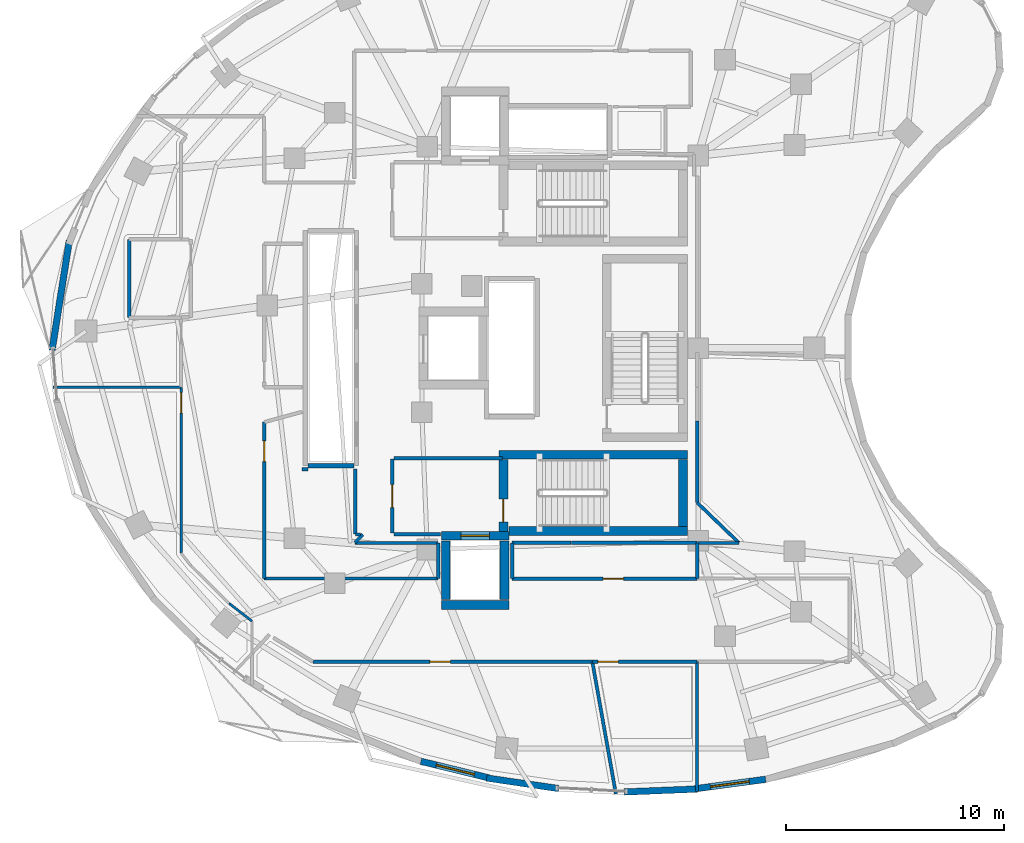
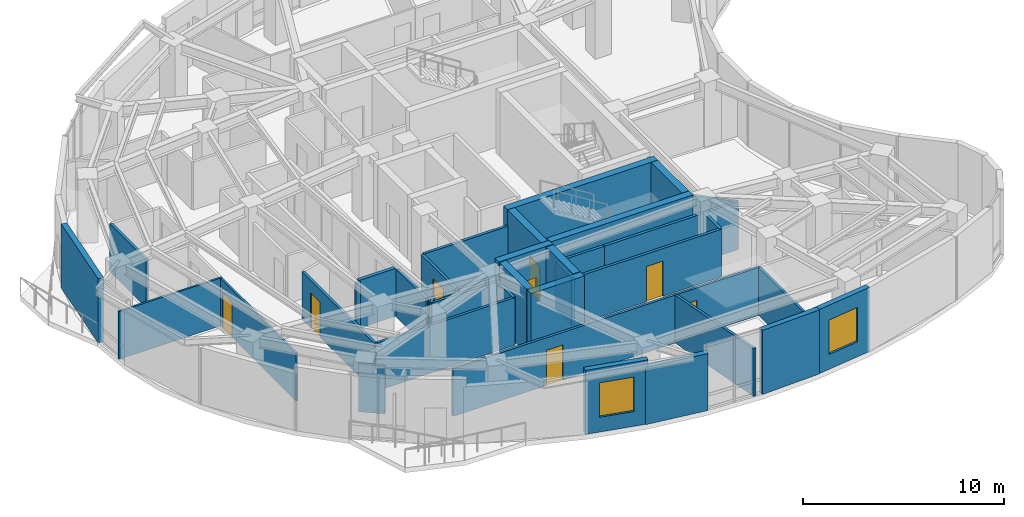
# One storey, part 7 of 13: 41 walls, 8 doors, 2 windows, 10 openings.
"""IFC4 building model written with IfcOpenShell, lengths in metres."""

from ifc_helpers import new_model, si_unit, direction, frame, frame_2d, origin, place, context, subcontext, project, spatial, rectangle, extrude, material, layer, layer_set, type_object, element, fill, save


model = new_model("IFC4")

# Units and contexts
model_context = context("Model", 3, precision=1e-05, world=origin(), true_north=direction((0.0, 1.0)))
body_context = subcontext(model_context, "Body", "Model", "MODEL_VIEW")
ifc_project = project(units=[si_unit("LENGTHUNIT", "METRE"), si_unit("AREAUNIT", "SQUARE_METRE"), si_unit("VOLUMEUNIT", "CUBIC_METRE"), si_unit("PLANEANGLEUNIT", "RADIAN"), si_unit("MASSUNIT", "GRAM", prefix="KILO")], contexts=[model_context])

# Site, building, storey
site_placement = place(None, origin())
site = spatial("IfcSite", under=ifc_project, at=site_placement, CompositionType="ELEMENT")
building_placement = place(site_placement, origin())
building = spatial("IfcBuilding", under=site, at=building_placement, Name="Korentha Bioscience Tower", CompositionType="ELEMENT")
storey_placement = place(building_placement, frame((0.0, 0.0, 154.199951171875)))
storey = spatial("IfcBuildingStorey", under=building, at=storey_placement, Name="L35", CompositionType="ELEMENT", Elevation=154.199951171875)

# Wall, opening, door
ifc_material_1 = material(Name="Double-Stud Acoustic Gypsum", Category="gypsum")
ifc_layer_1 = layer(ifc_material_1, 0.14990234375, Name="Double-Stud Acoustic Gypsum")
ifc_layer_set_1 = layer_set([ifc_layer_1], Name="Double-Stud Acoustic Gypsum (IW-L150)")
wall_type_1 = type_object("IfcWallType", Name="Acoustic Laboratory Partition Wall 150", PredefinedType="PARTITIONING", material=ifc_layer_set_1)
wall_1_placement = place(storey_placement, frame((17.610107421875, 16.409912109375, 0.0), z_axis=(0.0, 0.0, 1.0), x_axis=(0.0, 1.0, 0.0)))
wall_1 = element("IfcWall", 1, at=wall_1_placement, inside=storey, type_object=wall_type_1, Name="L35 Research Colloquium Seminar Room 02 Entrance Wall", PredefinedType="PARTITIONING", context=body_context, shape_type="SweptSolid", body=[
    extrude(rectangle(XDim=7.18896484375, YDim=0.14990234375, at=frame_2d((3.594482421875, 0.0))), origin(), (0.0, 0.0, 1.0), 2.91015625),
])
opening_1_placement = place(wall_1_placement, frame((5.376953125, 0.0, 0.0)))
opening_1 = element("IfcOpeningElement", 2, at=opening_1_placement, cuts=wall_1, Name="Opening ID-10L", PredefinedType="OPENING", context=body_context, shape_type="SweptSolid", body=[
    extrude(rectangle(XDim=0.949951171875, YDim=2.14990234375, at=frame_2d((0.47509765625, 1.074951171875))), frame((0.0, 0.08984375, 0.0), z_axis=(0.0, -1.0, 0.0), x_axis=(1.0, 0.0, 0.0)), (0.0, 0.0, 1.0), 0.1796875),
])
ifc_material_2 = material(Name="Phenolic Laminate Timber Core", Category="wood")
door_type_1 = type_object("IfcDoorType", Name="Laboratory Single Leaf Door 950x2150 Left", OperationType="SINGLE_SWING_LEFT", PredefinedType="DOOR", material=ifc_material_2)
door_1_placement = place(opening_1_placement, origin())
door_1 = element("IfcDoor", 3, at=door_1_placement, inside=storey, type_object=door_type_1, Name="L35 Research Colloquium Seminar Room 02 Door", OperationType="SINGLE_SWING_LEFT", OverallHeight=2.14990234375, OverallWidth=0.949951171875, PredefinedType="DOOR", context=body_context, shape_type="SweptSolid", body=[
    extrude(rectangle(XDim=0.949951171875, YDim=2.14990234375, at=frame_2d((0.47509765625, 1.074951171875))), frame((0.0, 0.02490234375, 0.0), z_axis=(0.0, -1.0, 0.0), x_axis=(1.0, 0.0, 0.0)), (0.0, 0.0, 1.0), 0.050048828125),
])
fill(opening_1, door_1)

wall_2_placement = place(storey_placement, frame((19.849853515625, 12.590087890625, 0.0), z_axis=(0.0, 0.0, 1.0), x_axis=(1.0, 0.0, 0.0)))
wall_2 = element("IfcWall", 4, at=wall_2_placement, inside=storey, type_object=wall_type_1, Name="L35 Staff Pantry Kitchenette 03 Entrance Wall", PredefinedType="PARTITIONING", context=body_context, shape_type="SweptSolid", body=[
    extrude(rectangle(XDim=12.83544921875, YDim=0.14990234375, at=frame_2d((6.417724609375, 0.0))), origin(), (0.0, 0.0, 1.0), 2.91015625),
])
opening_2_placement = place(wall_2_placement, frame((5.365234375, 0.0, 0.0)))
opening_2 = element("IfcOpeningElement", 5, at=opening_2_placement, cuts=wall_2, Name="Opening ID-10R", PredefinedType="OPENING", context=body_context, shape_type="SweptSolid", body=[
    extrude(rectangle(XDim=0.949951171875, YDim=2.14990234375, at=frame_2d((0.47509765625, 1.074951171875))), frame((0.0, 0.08984375, 0.0), z_axis=(0.0, -1.0, 0.0), x_axis=(1.0, 0.0, 0.0)), (0.0, 0.0, 1.0), 0.1796875),
])
door_type_2 = type_object("IfcDoorType", Name="Laboratory Single Leaf Door 950x2150 Right", OperationType="SINGLE_SWING_RIGHT", PredefinedType="DOOR", material=ifc_material_2)
door_2_placement = place(opening_2_placement, origin())
door_2 = element("IfcDoor", 6, at=door_2_placement, inside=storey, type_object=door_type_2, Name="L35 Staff Pantry Kitchenette 03 Door", OperationType="SINGLE_SWING_RIGHT", OverallHeight=2.14990234375, OverallWidth=0.949951171875, PredefinedType="DOOR", context=body_context, shape_type="SweptSolid", body=[
    extrude(rectangle(XDim=0.949951171875, YDim=2.14990234375, at=frame_2d((0.47509765625, 1.074951171875))), frame((0.0, 0.02490234375, 0.0), z_axis=(0.0, -1.0, 0.0), x_axis=(1.0, 0.0, 0.0)), (0.0, 0.0, 1.0), 0.050048828125),
])
fill(opening_2, door_2)

# Walls
wall_3_placement = place(storey_placement, frame((19.35009765625, 21.43994140625, 0.0), z_axis=(0.0, 0.0, 1.0), x_axis=(1.0, 0.0, 0.0)))
element("IfcWall", 7, at=wall_3_placement, inside=storey, type_object=wall_type_1, Name="L35 Interior Partition 028", PredefinedType="PARTITIONING", context=body_context, shape_type="SweptSolid", body=[
    extrude(rectangle(XDim=0.27001953125, YDim=0.14990234375, at=frame_2d((0.135009765625, 0.0))), origin(), (0.0, 0.0, 1.0), 2.91015625),
])
wall_4_placement = place(storey_placement, frame((21.7900390625, 21.43994140625, 0.0), z_axis=(0.0, 0.0, 1.0), x_axis=(0.0, -1.0, 0.0)))
element("IfcWall", 8, at=wall_4_placement, inside=storey, type_object=wall_type_1, Name="L35 Interior Partition 029", PredefinedType="PARTITIONING", context=body_context, shape_type="SweptSolid", body=[
    extrude(rectangle(XDim=2.989990234375, YDim=0.14990234375, at=frame_2d((1.4951171875, 0.0))), origin(), (0.0, 0.0, 1.0), 2.91015625),
])
wall_5_placement = place(storey_placement, frame((21.800048828125, 18.43994140625, 0.0), z_axis=(0.0, 0.0, 1.0), x_axis=(1.0, 0.0, 0.0)))
element("IfcWall", 9, at=wall_5_placement, inside=storey, type_object=wall_type_1, Name="L35 Interior Partition 030", PredefinedType="PARTITIONING", context=body_context, shape_type="SweptSolid", body=[
    extrude(rectangle(XDim=0.228759765625, YDim=0.14990234375, at=frame_2d((0.1142578125, 0.0))), origin(), (0.0, 0.0, 1.0), 2.91015625),
])
wall_6_placement = place(storey_placement, frame((22.13525390625, 18.43994140625, 0.0), z_axis=(0.0, 0.0, 1.0), x_axis=(-0.68187219697, -0.731471330265, 0.0)))
element("IfcWall", 10, at=wall_6_placement, inside=storey, type_object=wall_type_1, Name="L35 Interior Partition 031", PredefinedType="PARTITIONING", context=body_context, shape_type="SweptSolid", body=[
    extrude(rectangle(XDim=0.526611328125, YDim=0.14990234375, at=frame_2d((0.26318359375, 0.0))), origin(), (0.0, 0.0, 1.0), 2.91015625),
])
wall_7_placement = place(storey_placement, frame((21.779052734375, 18.048095703125, 0.0), z_axis=(0.0, 0.0, 1.0), x_axis=(1.0, 0.0, 0.0)))
element("IfcWall", 11, at=wall_7_placement, inside=storey, type_object=wall_type_1, Name="L35 Interior Partition 032", PredefinedType="PARTITIONING", context=body_context, shape_type="SweptSolid", body=[
    extrude(rectangle(XDim=3.82080078125, YDim=0.14990234375, at=frame_2d((1.910400390625, 0.0))), origin(), (0.0, 0.0, 1.0), 2.91015625),
])
wall_8_placement = place(storey_placement, frame((25.60009765625, 18.0478515625, 0.0), z_axis=(0.0, 0.0, 1.0), x_axis=(0.0, -1.0, 0.0)))
element("IfcWall", 12, at=wall_8_placement, inside=storey, type_object=wall_type_1, Name="L35 Interior Partition 033", PredefinedType="PARTITIONING", context=body_context, shape_type="SweptSolid", body=[
    extrude(rectangle(XDim=1.637939453125, YDim=0.14990234375, at=frame_2d((0.81884765625, 0.0))), origin(), (0.0, 0.0, 1.0), 2.91015625),
])
wall_9_placement = place(storey_placement, frame((25.60009765625, 16.409912109375, 0.0), z_axis=(0.0, 0.0, 1.0), x_axis=(-1.0, 0.0, 0.0)))
element("IfcWall", 13, at=wall_9_placement, inside=storey, type_object=wall_type_1, Name="L35 Interior Partition 034", PredefinedType="PARTITIONING", context=body_context, shape_type="SweptSolid", body=[
    extrude(rectangle(XDim=7.989990234375, YDim=0.14990234375, at=frame_2d((3.9951171875, 0.0))), origin(), (0.0, 0.0, 1.0), 2.91015625),
])
wall_10_placement = place(storey_placement, frame((32.685302734375, 12.590087890625, 0.0), z_axis=(0.0, 0.0, 1.0), x_axis=(0.175350659772, -0.984506041687, 0.0)))
element("IfcWall", 14, at=wall_10_placement, inside=storey, type_object=wall_type_1, Name="L35 Interior Partition 037", PredefinedType="PARTITIONING", context=body_context, shape_type="SweptSolid", body=[
    extrude(rectangle(XDim=6.1650390625, YDim=0.14990234375, at=frame_2d((3.08251953125, 0.0))), origin(), (0.0, 0.0, 1.0), 2.91015625),
])
wall_11_placement = place(storey_placement, frame((37.508056640625, 18.048095703125, 0.0), z_axis=(0.0, 0.0, 1.0), x_axis=(1.0, 0.0, 0.0)))
element("IfcWall", 15, at=wall_11_placement, inside=storey, type_object=wall_type_1, Name="L35 Interior Partition 049", PredefinedType="PARTITIONING", context=body_context, shape_type="SweptSolid", body=[
    extrude(rectangle(XDim=1.907958984375, YDim=0.14990234375, at=frame_2d((0.9541015625, 0.0))), origin(), (0.0, 0.0, 1.0), 2.91015625),
])
wall_12_placement = place(storey_placement, frame((39.418701171875, 18.054931640625, 0.0), z_axis=(0.0, 0.0, 1.0), x_axis=(-0.720561375154, 0.693391162791, 0.0)))
element("IfcWall", 16, at=wall_12_placement, inside=storey, type_object=wall_type_1, Name="L35 Interior Partition 050", PredefinedType="PARTITIONING", context=body_context, shape_type="SweptSolid", body=[
    extrude(rectangle(XDim=2.65966796875, YDim=0.14990234375, at=frame_2d((1.329833984375, 0.0))), origin(), (0.0, 0.0, 1.0), 2.91015625),
])
wall_13_placement = place(storey_placement, frame((37.501953125, 19.8994140625, 0.0), z_axis=(0.0, 0.0, 1.0), x_axis=(0.0, 1.0, 0.0)))
element("IfcWall", 17, at=wall_13_placement, inside=storey, type_object=wall_type_1, Name="L35 Interior Partition 051", PredefinedType="PARTITIONING", context=body_context, shape_type="SweptSolid", body=[
    extrude(rectangle(XDim=3.74853515625, YDim=0.14990234375, at=frame_2d((1.874267578125, 0.0))), origin(), (0.0, 0.0, 1.0), 2.91015625),
])

# Wall, opening, door
ifc_material_3 = material(Name="Insulated Aluminium Honeycomb Panel", Category="aluminium")
ifc_layer_2 = layer(ifc_material_3, 0.139892578125, Name="Insulated Aluminium Honeycomb Panel")
ifc_layer_set_2 = layer_set([ifc_layer_2], Name="Insulated Aluminium Honeycomb Panel (IW-F60)")
wall_type_2 = type_object("IfcWallType", Name="Cleanroom Flush Metal Panel Partition 140", PredefinedType="PARTITIONING", material=ifc_layer_set_2)
wall_14_placement = place(storey_placement, frame((32.6953125, 12.590087890625, 0.0), z_axis=(0.0, 0.0, 1.0), x_axis=(1.0, 0.0, 0.0)))
wall_14 = element("IfcWall", 18, at=wall_14_placement, inside=storey, type_object=wall_type_2, Name="L35 Airlock Gowning Anteroom 05 Entrance Wall", PredefinedType="PARTITIONING", context=body_context, shape_type="SweptSolid", body=[
    extrude(rectangle(XDim=4.802734375, YDim=0.139892578125, at=frame_2d((2.4013671875, 0.0))), origin(), (0.0, 0.0, 1.0), 2.91015625),
])
opening_3_placement = place(wall_14_placement, frame((0.239990234375, 0.0, 0.0)))
opening_3 = element("IfcOpeningElement", 19, at=opening_3_placement, cuts=wall_14, Name="Opening ID-10R", PredefinedType="OPENING", context=body_context, shape_type="SweptSolid", body=[
    extrude(rectangle(XDim=0.949951171875, YDim=2.14990234375, at=frame_2d((0.47509765625, 1.074951171875))), frame((0.0, 0.0849609375, 0.0), z_axis=(0.0, -1.0, 0.0), x_axis=(1.0, 0.0, 0.0)), (0.0, 0.0, 1.0), 0.169677734375),
])
door_3_placement = place(opening_3_placement, origin())
door_3 = element("IfcDoor", 20, at=door_3_placement, inside=storey, type_object=door_type_2, Name="L35 Airlock Gowning Anteroom 05 Door", OperationType="SINGLE_SWING_RIGHT", OverallHeight=2.14990234375, OverallWidth=0.949951171875, PredefinedType="DOOR", context=body_context, shape_type="SweptSolid", body=[
    extrude(rectangle(XDim=0.949951171875, YDim=2.14990234375, at=frame_2d((0.47509765625, 1.074951171875))), frame((0.0, 0.02490234375, 0.0), z_axis=(0.0, -1.0, 0.0), x_axis=(1.0, 0.0, 0.0)), (0.0, 0.0, 1.0), 0.050048828125),
])
fill(opening_3, door_3)

# Wall
wall_15_placement = place(storey_placement, frame((37.498046875, 12.590087890625, 0.0), z_axis=(0.0, 0.0, 1.0), x_axis=(0.0, -1.0, 0.0)))
element("IfcWall", 21, at=wall_15_placement, inside=storey, type_object=wall_type_2, Name="L35 Interior Partition 044", PredefinedType="PARTITIONING", context=body_context, shape_type="SweptSolid", body=[
    extrude(rectangle(XDim=5.962890625, YDim=0.139892578125, at=frame_2d((2.9814453125, 0.0))), origin(), (0.0, 0.0, 1.0), 2.91015625),
])

# Wall, opening, door
ifc_material_4 = material(Name="Fire-Rated Framed Glass", Category="glass")
ifc_layer_3 = layer(ifc_material_4, 0.110107421875, Name="Fire-Rated Framed Glass")
ifc_layer_set_3 = layer_set([ifc_layer_3], Name="Fire-Rated Framed Glass (IW-G110)")
wall_type_3 = type_object("IfcWallType", Name="Demountable Glazed Office Partition 110", PredefinedType="MOVABLE", material=ifc_layer_set_3)
wall_16_placement = place(storey_placement, frame((13.7900390625, 25.197998046875, 0.0), z_axis=(0.0, 0.0, 1.0), x_axis=(0.0, -1.0, 0.0)))
wall_16 = element("IfcWall", 22, at=wall_16_placement, inside=storey, type_object=wall_type_3, Name="L35 Principal Investigator Office 01 Entrance Wall", PredefinedType="MOVABLE", context=body_context, shape_type="SweptSolid", body=[
    extrude(rectangle(XDim=7.615478515625, YDim=0.110107421875, at=frame_2d((3.8076171875, 0.0))), origin(), (0.0, 0.0, 1.0), 2.91015625),
])
opening_4_placement = place(wall_16_placement, frame((0.239990234375, 0.0, 0.0)))
opening_4 = element("IfcOpeningElement", 23, at=opening_4_placement, cuts=wall_16, Name="Opening ID-10R", PredefinedType="OPENING", context=body_context, shape_type="SweptSolid", body=[
    extrude(rectangle(XDim=0.949951171875, YDim=2.14990234375, at=frame_2d((0.47509765625, 1.074951171875))), frame((0.0, 0.06982421875, 0.0), z_axis=(0.0, -1.0, 0.0), x_axis=(1.0, 0.0, 0.0)), (0.0, 0.0, 1.0), 0.139892578125),
])
door_4_placement = place(opening_4_placement, origin())
door_4 = element("IfcDoor", 24, at=door_4_placement, inside=storey, type_object=door_type_2, Name="L35 Principal Investigator Office 01 Door", OperationType="SINGLE_SWING_RIGHT", OverallHeight=2.14990234375, OverallWidth=0.949951171875, PredefinedType="DOOR", context=body_context, shape_type="SweptSolid", body=[
    extrude(rectangle(XDim=0.949951171875, YDim=2.14990234375, at=frame_2d((0.47509765625, 1.074951171875))), frame((0.0, 0.02490234375, 0.0), z_axis=(0.0, -1.0, 0.0), x_axis=(1.0, 0.0, 0.0)), (0.0, 0.0, 1.0), 0.050048828125),
])
fill(opening_4, door_4)

# Walls
wall_17_placement = place(storey_placement, frame((7.89794921875, 25.197998046875, 0.0), z_axis=(0.0, 0.0, 1.0), x_axis=(1.0, 0.0, 0.0)))
element("IfcWall", 25, at=wall_17_placement, inside=storey, type_object=wall_type_3, Name="L35 Interior Partition 022", PredefinedType="MOVABLE", context=body_context, shape_type="SweptSolid", body=[
    extrude(rectangle(XDim=5.89208984375, YDim=0.110107421875, at=frame_2d((2.946044921875, 0.0))), origin(), (0.0, 0.0, 1.0), 2.91015625),
])
wall_18_placement = place(storey_placement, frame((15.99462890625, 15.27099609375, 0.0), z_axis=(0.0, 0.0, 1.0), x_axis=(0.790603531082, -0.612328389543, 0.0)))
element("IfcWall", 26, at=wall_18_placement, inside=storey, type_object=wall_type_3, Name="L35 Interior Partition 025", PredefinedType="MOVABLE", context=body_context, shape_type="SweptSolid", body=[
    extrude(rectangle(XDim=1.33251953125, YDim=0.110107421875, at=frame_2d((0.666259765625, 0.0))), origin(), (0.0, 0.0, 1.0), 2.91015625),
])

# Wall, opening, door
ifc_material_5 = material(Name="Gypsum-Clad Steel Stud", Category="steel")
ifc_layer_4 = layer(ifc_material_5, 0.159912109375, Name="Gypsum-Clad Steel Stud")
ifc_layer_set_4 = layer_set([ifc_layer_4], Name="Gypsum-Clad Steel Stud (IW-C160)")
wall_type_4 = type_object("IfcWallType", Name="Fire-Rated Corridor Partition Wall 160", PredefinedType="PARTITIONING", material=ifc_layer_set_4)
wall_19_placement = place(storey_placement, frame((23.5, 18.5, 0.0), z_axis=(0.0, 0.0, 1.0), x_axis=(0.0, 1.0, 0.0)))
wall_19 = element("IfcWall", 27, at=wall_19_placement, inside=storey, type_object=wall_type_4, Name="L35 FFLS-CW Rated Enclosure Wall", PredefinedType="PARTITIONING", context=body_context, shape_type="SweptSolid", body=[
    extrude(rectangle(XDim=3.39990234375, YDim=0.159912109375, at=frame_2d((1.699951171875, 0.0))), origin(), (0.0, 0.0, 1.0), 2.91015625),
])
opening_5_placement = place(wall_19_placement, frame((1.175048828125, 0.0, 0.0)))
opening_5 = element("IfcOpeningElement", 28, at=opening_5_placement, cuts=wall_19, Name="Opening FD-90R", PredefinedType="OPENING", context=body_context, shape_type="SweptSolid", body=[
    extrude(rectangle(XDim=1.050048828125, YDim=2.14990234375, at=frame_2d((0.52490234375, 1.074951171875))), frame((0.0, 0.0947265625, 0.0), z_axis=(0.0, -1.0, 0.0), x_axis=(1.0, 0.0, 0.0)), (0.0, 0.0, 1.0), 0.189697265625),
])
ifc_material_6 = material(Name="Powder-Coated Fire-Rated Steel", Category="steel")
door_type_3 = type_object("IfcDoorType", Name="Stairwell Fire Exit Door 1050x2150 Right", OperationType="SINGLE_SWING_RIGHT", PredefinedType="DOOR", material=ifc_material_6)
door_5_placement = place(opening_5_placement, origin())
door_5 = element("IfcDoor", 29, at=door_5_placement, inside=storey, type_object=door_type_3, Name="L35 South Firefighting Lobby Door", OperationType="SINGLE_SWING_RIGHT", OverallHeight=2.14990234375, OverallWidth=1.050048828125, PredefinedType="DOOR", context=body_context, shape_type="SweptSolid", body=[
    extrude(rectangle(XDim=1.050048828125, YDim=2.14990234375, at=frame_2d((0.52490234375, 1.074951171875))), frame((0.0, 0.02490234375, 0.0), z_axis=(0.0, -1.0, 0.0), x_axis=(1.0, 0.0, 0.0)), (0.0, 0.0, 1.0), 0.050048828125),
])
fill(opening_5, door_5)

# Walls
wall_20_placement = place(storey_placement, frame((23.580078125, 21.949951171875, 0.0), z_axis=(0.0, 0.0, 1.0), x_axis=(1.0, 0.0, 0.0)))
element("IfcWall", 30, at=wall_20_placement, inside=storey, type_object=wall_type_4, Name="L35 Firefighting Lobby Return Wall FFLS-N", PredefinedType="PARTITIONING", context=body_context, shape_type="SweptSolid", body=[
    extrude(rectangle(XDim=4.969970703125, YDim=0.159912109375, at=frame_2d((2.48486328125, 0.0))), origin(), (0.0, 0.0, 1.0), 2.91015625),
])
wall_21_placement = place(storey_placement, frame((23.580078125, 18.449951171875, 0.0), z_axis=(0.0, 0.0, 1.0), x_axis=(1.0, 0.0, 0.0)))
element("IfcWall", 31, at=wall_21_placement, inside=storey, type_object=wall_type_4, Name="L35 Firefighting Lobby Return Wall FFLS-S", PredefinedType="PARTITIONING", context=body_context, shape_type="SweptSolid", body=[
    extrude(rectangle(XDim=2.119873046875, YDim=0.159912109375, at=frame_2d((1.06005859375, 0.0))), origin(), (0.0, 0.0, 1.0), 2.91015625),
])

# Wall, opening, door
wall_22_placement = place(storey_placement, frame((37.498046875, 16.409912109375, 0.0), z_axis=(0.0, 0.0, 1.0), x_axis=(-1.0, 0.0, 0.0)))
wall_22 = element("IfcWall", 32, at=wall_22_placement, inside=storey, type_object=wall_type_4, Name="L35 Biospecimen Archive Store 04 Entrance Wall", PredefinedType="PARTITIONING", context=body_context, shape_type="SweptSolid", body=[
    extrude(rectangle(XDim=8.498046875, YDim=0.159912109375, at=frame_2d((4.2490234375, 0.0))), origin(), (0.0, 0.0, 1.0), 2.91015625),
])
opening_6_placement = place(wall_22_placement, frame((3.371826171875, 0.0, 0.0)))
opening_6 = element("IfcOpeningElement", 33, at=opening_6_placement, cuts=wall_22, Name="Opening ID-10L", PredefinedType="OPENING", context=body_context, shape_type="SweptSolid", body=[
    extrude(rectangle(XDim=0.949951171875, YDim=2.14990234375, at=frame_2d((0.47509765625, 1.074951171875))), frame((0.0, 0.0947265625, 0.0), z_axis=(0.0, -1.0, 0.0), x_axis=(1.0, 0.0, 0.0)), (0.0, 0.0, 1.0), 0.189697265625),
])
door_6_placement = place(opening_6_placement, origin())
door_6 = element("IfcDoor", 34, at=door_6_placement, inside=storey, type_object=door_type_1, Name="L35 Biospecimen Archive Store 04 Door", OperationType="SINGLE_SWING_LEFT", OverallHeight=2.14990234375, OverallWidth=0.949951171875, PredefinedType="DOOR", context=body_context, shape_type="SweptSolid", body=[
    extrude(rectangle(XDim=0.949951171875, YDim=2.14990234375, at=frame_2d((0.47509765625, 1.074951171875))), frame((0.0, 0.02490234375, 0.0), z_axis=(0.0, -1.0, 0.0), x_axis=(1.0, 0.0, 0.0)), (0.0, 0.0, 1.0), 0.050048828125),
])
fill(opening_6, door_6)

# Walls
wall_23_placement = place(storey_placement, frame((11.39990234375, 28.39990234375, 0.0), z_axis=(0.0, 0.0, 1.0), x_axis=(0.0, 1.0, 0.0)))
element("IfcWall", 35, at=wall_23_placement, inside=storey, type_object=wall_type_4, Name="L35 Interior Partition 020", PredefinedType="PARTITIONING", context=body_context, shape_type="SweptSolid", body=[
    extrude(rectangle(XDim=3.60009765625, YDim=0.159912109375, at=frame_2d((1.800048828125, 0.0))), origin(), (0.0, 0.0, 1.0), 2.91015625),
])
wall_24_placement = place(storey_placement, frame((29.0, 18.048095703125, 0.0), z_axis=(0.0, 0.0, 1.0), x_axis=(1.0, 0.0, 0.0)))
element("IfcWall", 36, at=wall_24_placement, inside=storey, type_object=wall_type_4, Name="L35 Interior Partition 040", PredefinedType="PARTITIONING", context=body_context, shape_type="SweptSolid", body=[
    extrude(rectangle(XDim=2.712890625, YDim=0.159912109375, at=frame_2d((1.3564453125, 0.0))), origin(), (0.0, 0.0, 1.0), 2.91015625),
])
wall_25_placement = place(storey_placement, frame((31.717041015625, 18.048095703125, 0.0), z_axis=(0.0, 0.0, 1.0), x_axis=(1.0, 0.0, 0.0)))
element("IfcWall", 37, at=wall_25_placement, inside=storey, type_object=wall_type_4, Name="L35 Interior Partition 041", PredefinedType="PARTITIONING", context=body_context, shape_type="SweptSolid", body=[
    extrude(rectangle(XDim=5.78076171875, YDim=0.159912109375, at=frame_2d((2.890380859375, 0.0))), origin(), (0.0, 0.0, 1.0), 2.91015625),
])
for number, where, z_axis, x_axis, name in (
    (38, (37.498046875, 18.0478515625, 0.0), (0.0, 0.0, 1.0), (0.0, -1.0, 0.0), "L35 Interior Partition 042"),
    (39, (29.0, 16.409912109375, 0.0), (0.0, 0.0, 1.0), (0.0, 1.0, 0.0), "L35 Interior Partition 043"),
):
    element("IfcWall", number, at=place(storey_placement, frame(where, z_axis=z_axis, x_axis=x_axis)), inside=storey, type_object=wall_type_4, Name=name, PredefinedType="PARTITIONING", context=body_context, shape_type="SweptSolid", body=[
        extrude(rectangle(XDim=1.637939453125, YDim=0.159912109375, at=frame_2d((0.81884765625, 0.0))), origin(), (0.0, 0.0, 1.0), 2.91015625),
    ])

# Wall, opening, window
ifc_material_7 = material(Name="Honed Limestone Precast Concrete C40", Category="masonry")
ifc_layer_5 = layer(ifc_material_7, 0.300048828125, Name="Honed Limestone Precast Concrete C40")
ifc_layer_set_5 = layer_set([ifc_layer_5], Name="Honed Limestone Precast Concrete C40 (EW-ST300)")
wall_type_5 = type_object("IfcWallType", Name="Honed Limestone Cavity Spandrel Wall 300", PredefinedType="STANDARD", material=ifc_layer_set_5)
wall_26_placement = place(storey_placement, frame((24.806640625, 8.015625, 0.0), z_axis=(0.0, 0.0, 1.0), x_axis=(0.971312804689, -0.237805457142, 0.0)))
wall_26 = element("IfcWall", 40, at=wall_26_placement, inside=storey, type_object=wall_type_5, Name="L35 Honed Limestone Spandrel Wall 29", PredefinedType="STANDARD", context=body_context, shape_type="SweptSolid", body=[
    extrude(rectangle(XDim=3.268798828125, YDim=0.300048828125, at=frame_2d((1.63427734375, 0.0))), origin(), (0.0, 0.0, 1.0), 3.900146484375),
])
opening_7_placement = place(wall_26_placement, frame((0.734375, 0.0, 0.89990234375)))
opening_7 = element("IfcOpeningElement", 41, at=opening_7_placement, cuts=wall_26, Name="Opening WN-01", PredefinedType="OPENING", context=body_context, shape_type="SweptSolid", body=[
    extrude(rectangle(XDim=1.800048828125, YDim=2.10009765625, at=frame_2d((0.89990234375, 1.050048828125))), frame((0.0, 0.1650390625, 0.0), z_axis=(0.0, -1.0, 0.0), x_axis=(1.0, 0.0, 0.0)), (0.0, 0.0, 1.0), 0.329833984375),
])
ifc_material_8 = material(Name="Thermally Broken Aluminium Triple Glazing", Category="aluminium")
window_type = type_object("IfcWindowType", Name="Triple-Glazed Fixed Bioscience Window 1800x2100", PartitioningType="SINGLE_PANEL", PredefinedType="WINDOW", material=ifc_material_8)
window_1_placement = place(opening_7_placement, origin())
window_1 = element("IfcWindow", 42, at=window_1_placement, inside=storey, type_object=window_type, Name="L35 Facade Window 29", OverallHeight=2.10009765625, OverallWidth=1.800048828125, PartitioningType="SINGLE_PANEL", PredefinedType="WINDOW", context=body_context, shape_type="SweptSolid", body=[
    extrude(rectangle(XDim=1.800048828125, YDim=2.10009765625, at=frame_2d((0.89990234375, 1.050048828125))), frame((0.0, 0.030029296875, 0.0), z_axis=(0.0, -1.0, 0.0), x_axis=(1.0, 0.0, 0.0)), (0.0, 0.0, 1.0), 0.06005859375),
])
fill(opening_7, window_1)

wall_27_placement = place(storey_placement, frame((37.365478515625, 6.748291015625, 0.0), z_axis=(0.0, 0.0, 1.0), x_axis=(0.991139436205, 0.132825517122, 0.0)))
wall_27 = element("IfcWall", 43, at=wall_27_placement, inside=storey, type_object=wall_type_5, Name="L35 Honed Limestone Spandrel Wall 33", PredefinedType="STANDARD", context=body_context, shape_type="SweptSolid", body=[
    extrude(rectangle(XDim=3.310302734375, YDim=0.300048828125, at=frame_2d((1.6552734375, 0.0))), origin(), (0.0, 0.0, 1.0), 3.900146484375),
])
opening_8_placement = place(wall_27_placement, frame((0.755126953125, 0.0, 0.89990234375)))
opening_8 = element("IfcOpeningElement", 44, at=opening_8_placement, cuts=wall_27, Name="Opening WN-01", PredefinedType="OPENING", context=body_context, shape_type="SweptSolid", body=[
    extrude(rectangle(XDim=1.800048828125, YDim=2.10009765625, at=frame_2d((0.89990234375, 1.050048828125))), frame((0.0, 0.1650390625, 0.0), z_axis=(0.0, -1.0, 0.0), x_axis=(1.0, 0.0, 0.0)), (0.0, 0.0, 1.0), 0.329833984375),
])
window_2_placement = place(opening_8_placement, origin())
window_2 = element("IfcWindow", 45, at=window_2_placement, inside=storey, type_object=window_type, Name="L35 Facade Window 33", OverallHeight=2.10009765625, OverallWidth=1.800048828125, PartitioningType="SINGLE_PANEL", PredefinedType="WINDOW", context=body_context, shape_type="SweptSolid", body=[
    extrude(rectangle(XDim=1.800048828125, YDim=2.10009765625, at=frame_2d((0.89990234375, 1.050048828125))), frame((0.0, 0.030029296875, 0.0), z_axis=(0.0, -1.0, 0.0), x_axis=(1.0, 0.0, 0.0)), (0.0, 0.0, 1.0), 0.06005859375),
])
fill(opening_8, window_2)

# Walls
wall_28_placement = place(storey_placement, frame((8.6552734375, 31.947021484375, 0.0), z_axis=(0.0, 0.0, 1.0), x_axis=(-0.155280464429, -0.987870425393, 0.0)))
element("IfcWall", 46, at=wall_28_placement, inside=storey, type_object=wall_type_5, Name="L35 Limestone Perimeter Closure Wall 17", PredefinedType="STANDARD", context=body_context, shape_type="SweptSolid", body=[
    extrude(rectangle(XDim=5.10986328125, YDim=0.300048828125, at=frame_2d((2.554931640625, 0.0))), origin(), (0.0, 0.0, 1.0), 3.900146484375),
])
wall_29_placement = place(storey_placement, frame((27.826416015625, 7.247314453125, 0.0), z_axis=(0.0, 0.0, 1.0), x_axis=(0.98945927954, -0.144811374319, 0.0)))
element("IfcWall", 47, at=wall_29_placement, inside=storey, type_object=wall_type_5, Name="L35 Limestone Perimeter Closure Wall 30", PredefinedType="STANDARD", context=body_context, shape_type="SweptSolid", body=[
    extrude(rectangle(XDim=3.346435546875, YDim=0.300048828125, at=frame_2d((1.67333984375, 0.0))), origin(), (0.0, 0.0, 1.0), 3.469970703125),
])
wall_30_placement = place(storey_placement, frame((34.1552734375, 6.605224609375, 0.0), z_axis=(0.0, 0.0, 1.0), x_axis=(0.999190386434, 0.040231475948, 0.0)))
element("IfcWall", 48, at=wall_30_placement, inside=storey, type_object=wall_type_5, Name="L35 Limestone Perimeter Closure Wall 32", PredefinedType="STANDARD", context=body_context, shape_type="SweptSolid", body=[
    extrude(rectangle(XDim=3.367919921875, YDim=0.300048828125, at=frame_2d((1.68408203125, 0.0))), origin(), (0.0, 0.0, 1.0), 3.900146484375),
])
ifc_material_9 = material(Name="Autoclaved Aerated Concrete Block C25", Category="concrete")
ifc_layer_6 = layer(ifc_material_9, 0.199951171875, Name="Autoclaved Aerated Concrete Block C25")
ifc_layer_set_6 = layer_set([ifc_layer_6], Name="Autoclaved Aerated Concrete Block C25 (IW-S200)")
wall_type_6 = type_object("IfcWallType", Name="Lift and Riser Shaft Enclosure Wall 200", PredefinedType="PARTITIONING", material=ifc_layer_set_6)
wall_31_placement = place(storey_placement, frame((19.6201171875, 21.60009765625, 0.0), z_axis=(0.0, 0.0, 1.0), x_axis=(1.0, 0.0, 0.0)))
element("IfcWall", 49, at=wall_31_placement, inside=storey, type_object=wall_type_6, Name="L35 Lift Bank MID Shaft Wall -Y", PredefinedType="PARTITIONING", context=body_context, shape_type="SweptSolid", body=[
    extrude(rectangle(XDim=2.10986328125, YDim=0.199951171875, at=frame_2d((1.054931640625, 0.0))), origin(), (0.0, 0.0, 1.0), 2.91015625),
])
ifc_material_10 = material(Name="Concrete C65", Category="concrete")
ifc_layer_7 = layer(ifc_material_10, 0.39990234375, Name="Concrete C65")
ifc_layer_set_7 = layer_set([ifc_layer_7], Name="Concrete C65 (CW-C65)")
wall_type_7 = type_object("IfcWallType", Name="Mid-Rise Core Shear Wall 400", PredefinedType="SHEAR", material=ifc_layer_set_7)
wall_32_placement = place(storey_placement, frame((28.85205078125, 18.60009765625, 0.0), z_axis=(0.0, 0.0, 1.0), x_axis=(1.0, 0.0, 0.0)))
element("IfcWall", 50, at=wall_32_placement, inside=storey, type_object=wall_type_7, Name="L35 Core Shear Wall ST2-S", PredefinedType="SHEAR", context=body_context, shape_type="SweptSolid", body=[
    extrude(rectangle(XDim=8.197998046875, YDim=0.39990234375, at=frame_2d((4.09912109375, 0.0))), origin(), (0.0, 0.0, 1.0), 3.900146484375),
])
wall_33_placement = place(storey_placement, frame((28.39990234375, 22.10009765625, 0.0), z_axis=(0.0, 0.0, 1.0), x_axis=(1.0, 0.0, 0.0)))
element("IfcWall", 51, at=wall_33_placement, inside=storey, type_object=wall_type_7, Name="L35 Core Shear Wall ST2-N", PredefinedType="SHEAR", context=body_context, shape_type="SweptSolid", body=[
    extrude(rectangle(XDim=8.650146484375, YDim=0.39990234375, at=frame_2d((4.3251953125, 0.0))), origin(), (0.0, 0.0, 1.0), 3.900146484375),
])
wall_34_placement = place(storey_placement, frame((36.85009765625, 18.81005859375, 0.0), z_axis=(0.0, 0.0, 1.0), x_axis=(0.0, 1.0, 0.0)))
element("IfcWall", 52, at=wall_34_placement, inside=storey, type_object=wall_type_7, Name="L35 Core Shear Wall ST2-E", PredefinedType="SHEAR", context=body_context, shape_type="SweptSolid", body=[
    extrude(rectangle(XDim=3.079833984375, YDim=0.39990234375, at=frame_2d((1.5400390625, 0.0))), origin(), (0.0, 0.0, 1.0), 3.900146484375),
])

# Wall, opening, door
wall_35_placement = place(storey_placement, frame((28.60009765625, 18.58203125, 0.0), z_axis=(0.0, 0.0, 1.0), x_axis=(0.0, 1.0, 0.0)))
wall_35 = element("IfcWall", 53, at=wall_35_placement, inside=storey, type_object=wall_type_7, Name="L35 Core Shear Wall ST2-W", PredefinedType="SHEAR", context=body_context, shape_type="SweptSolid", body=[
    extrude(rectangle(XDim=3.307861328125, YDim=0.39990234375, at=frame_2d((1.65380859375, 0.0))), origin(), (0.0, 0.0, 1.0), 3.900146484375),
])
opening_9_placement = place(wall_35_placement, frame((0.427978515625, 0.0, 0.0)))
opening_9 = element("IfcOpeningElement", 54, at=opening_9_placement, cuts=wall_35, Name="Opening FD-90R", PredefinedType="OPENING", context=body_context, shape_type="SweptSolid", body=[
    extrude(rectangle(XDim=1.050048828125, YDim=2.14990234375, at=frame_2d((0.52490234375, 1.074951171875))), frame((0.0, 0.21484375, 0.0), z_axis=(0.0, -1.0, 0.0), x_axis=(1.0, 0.0, 0.0)), (0.0, 0.0, 1.0), 0.4296875),
])
door_7_placement = place(opening_9_placement, origin())
door_7 = element("IfcDoor", 55, at=door_7_placement, inside=storey, type_object=door_type_3, Name="L35 ST-2 Fire Exit Stair Door", OperationType="SINGLE_SWING_RIGHT", OverallHeight=2.14990234375, OverallWidth=1.050048828125, PredefinedType="DOOR", context=body_context, shape_type="SweptSolid", body=[
    extrude(rectangle(XDim=1.050048828125, YDim=2.14990234375, at=frame_2d((0.52490234375, 1.074951171875))), frame((0.0, 0.02490234375, 0.0), z_axis=(0.0, -1.0, 0.0), x_axis=(1.0, 0.0, 0.0)), (0.0, 0.0, 1.0), 0.050048828125),
])
fill(opening_9, door_7)

# Wall
wall_36_placement = place(storey_placement, frame((25.75, 15.199951171875, 0.0), z_axis=(0.0, 0.0, 1.0), x_axis=(1.0, 0.0, 0.0)))
element("IfcWall", 56, at=wall_36_placement, inside=storey, type_object=wall_type_7, Name="L35 Core Shear Wall FFL1-S", PredefinedType="SHEAR", context=body_context, shape_type="SweptSolid", body=[
    extrude(rectangle(XDim=3.10009765625, YDim=0.39990234375, at=frame_2d((1.550048828125, 0.0))), origin(), (0.0, 0.0, 1.0), 3.900146484375),
])

# Wall, opening, door
wall_37_placement = place(storey_placement, frame((25.75, 18.3798828125, 0.0), z_axis=(0.0, 0.0, 1.0), x_axis=(1.0, 0.0, 0.0)))
wall_37 = element("IfcWall", 57, at=wall_37_placement, inside=storey, type_object=wall_type_7, Name="L35 Core Shear Wall FFL1-N", PredefinedType="SHEAR", context=body_context, shape_type="SweptSolid", body=[
    extrude(rectangle(XDim=3.10009765625, YDim=0.39990234375, at=frame_2d((1.550048828125, 0.0))), origin(), (0.0, 0.0, 1.0), 3.900146484375),
])
opening_10_placement = place(wall_37_placement, frame((0.89990234375, 0.0, 0.0)))
opening_10 = element("IfcOpeningElement", 58, at=opening_10_placement, cuts=wall_37, Name="Opening LD-13", PredefinedType="OPENING", context=body_context, shape_type="SweptSolid", body=[
    extrude(rectangle(XDim=1.300048828125, YDim=2.199951171875, at=frame_2d((0.64990234375, 1.10009765625))), frame((0.0, 0.21484375, 0.0), z_axis=(0.0, -1.0, 0.0), x_axis=(1.0, 0.0, 0.0)), (0.0, 0.0, 1.0), 0.4296875),
])
ifc_material_11 = material(Name="Brushed Stainless Steel 316", Category="steel")
door_type_4 = type_object("IfcDoorType", Name="Service & Firefighting Lift Landing Door 1300x2300", OperationType="DOUBLE_DOOR_SLIDING", PredefinedType="DOOR", material=ifc_material_11)
door_8_placement = place(opening_10_placement, origin())
door_8 = element("IfcDoor", 59, at=door_8_placement, inside=storey, type_object=door_type_4, Name="L35 FFL-1 Sliding Lift Landing Door", OperationType="DOUBLE_DOOR_SLIDING", OverallHeight=2.199951171875, OverallWidth=1.300048828125, PredefinedType="DOOR", context=body_context, shape_type="SweptSolid", body=[
    extrude(rectangle(XDim=1.300048828125, YDim=2.199951171875, at=frame_2d((0.64990234375, 1.10009765625))), frame((0.0, 0.02490234375, 0.0), z_axis=(0.0, -1.0, 0.0), x_axis=(1.0, 0.0, 0.0)), (0.0, 0.0, 1.0), 0.050048828125),
])
fill(opening_10, door_8)

# Walls
for number, where, z_axis, x_axis, name in (
    (60, (25.949951171875, 15.43994140625, 0.0), (0.0, 0.0, 1.0), (0.0, 1.0, 0.0), "L35 Core Shear Wall FFL1-W"),
    (61, (28.64990234375, 15.43994140625, 0.0), (0.0, 0.0, 1.0), (0.0, 1.0, 0.0), "L35 Core Shear Wall FFL1-E"),
):
    element("IfcWall", number, at=place(storey_placement, frame(where, z_axis=z_axis, x_axis=x_axis)), inside=storey, type_object=wall_type_7, Name=name, PredefinedType="SHEAR", context=body_context, shape_type="SweptSolid", body=[
        extrude(rectangle(XDim=2.699951171875, YDim=0.39990234375, at=frame_2d((1.35009765625, 0.0))), origin(), (0.0, 0.0, 1.0), 3.900146484375),
    ])

save(model, "model.ifc")
